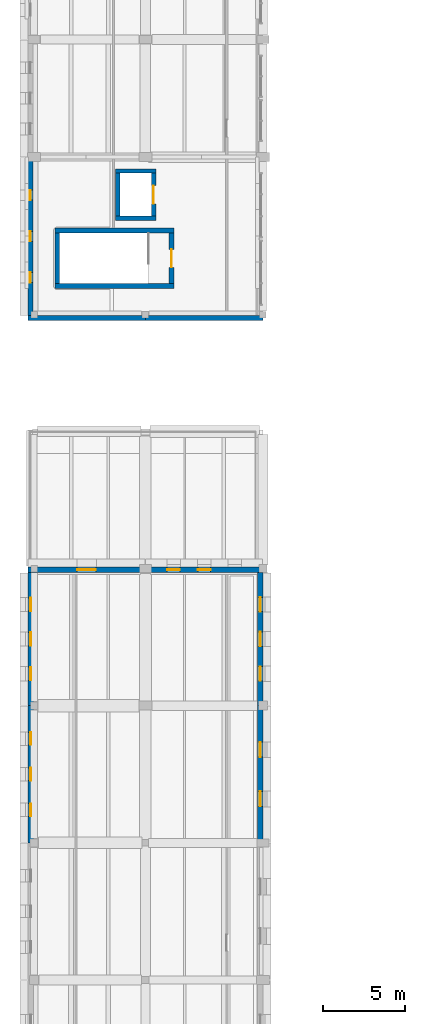
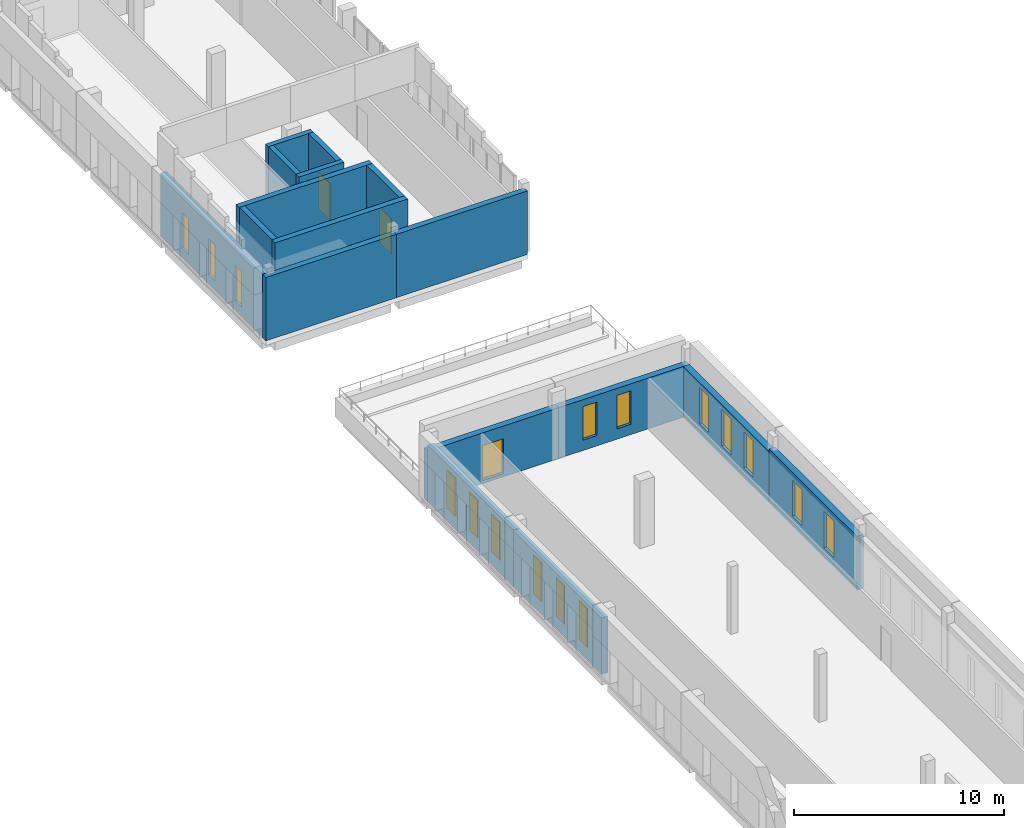
# One storey, part 22 of 34: 17 walls, 16 windows, 3 doors, 19 openings.
"""IFC4 building model written with IfcOpenShell, lengths in metres."""

from ifc_helpers import new_model, si_unit, direction, frame, frame_2d, origin, place, context, subcontext, project, spatial, rectangle, extrude, material, layer, layer_set, type_object, element, fill, save


model = new_model("IFC4")

# Units and contexts
model_context = context("Model", 3, precision=1e-05, world=origin(), true_north=direction((0.0, 1.0)))
body_context = subcontext(model_context, "Body", "Model", "MODEL_VIEW")
ifc_project = project(units=[si_unit("LENGTHUNIT", "METRE"), si_unit("AREAUNIT", "SQUARE_METRE"), si_unit("VOLUMEUNIT", "CUBIC_METRE"), si_unit("PLANEANGLEUNIT", "RADIAN"), si_unit("MASSUNIT", "GRAM", prefix="KILO")], contexts=[model_context])

# Site, building, storey
site_placement = place(None, origin())
site = spatial("IfcSite", under=ifc_project, at=site_placement, CompositionType="ELEMENT")
building_placement = place(site_placement, origin())
building = spatial("IfcBuilding", under=site, at=building_placement, Name="Vardoun Plaza Health Centre", CompositionType="ELEMENT")
storey_placement = place(building_placement, frame((0.0, 0.0, 12.89990234375)))
storey = spatial("IfcBuildingStorey", under=building, at=storey_placement, Name="L03", CompositionType="ELEMENT", Elevation=12.89990234375)

# Walls
ifc_material_1 = material(Name="Concrete C40/50", Category="concrete")
ifc_layer_1 = layer(ifc_material_1, 0.27001953125)
ifc_layer_set_1 = layer_set([ifc_layer_1], Name="Concrete C40/50")
wall_type_1 = type_object("IfcWallType", Name="SW-03", PredefinedType="SHEAR", material=ifc_layer_set_1)
wall_1_placement = place(storey_placement, frame((12.3349609375, 82.949951171875, 0.0), z_axis=(0.0, 0.0, 1.0), x_axis=(-1.0, 0.0, 0.0)))
element("IfcWall", 1, at=wall_1_placement, inside=storey, type_object=wall_type_1, Name="Lift LP-01 L03 Shaft Wall S", PredefinedType="SHEAR", context=body_context, shape_type="SweptSolid", body=[
    extrude(rectangle(XDim=2.469970703125, YDim=0.27001953125, at=frame_2d((1.23486328125, 0.0))), origin(), (0.0, 0.0, 1.0), 3.93505859375),
])
wall_2_placement = place(storey_placement, frame((10.0, 83.0849609375, 0.0), z_axis=(0.0, 0.0, 1.0), x_axis=(0.0, 1.0, 0.0)))
element("IfcWall", 2, at=wall_2_placement, inside=storey, type_object=wall_type_1, Name="Lift LP-01 L03 Shaft Wall W", PredefinedType="SHEAR", context=body_context, shape_type="SweptSolid", body=[
    extrude(rectangle(XDim=2.630126953125, YDim=0.27001953125, at=frame_2d((1.31494140625, 0.0))), origin(), (0.0, 0.0, 1.0), 3.93505859375),
])
wall_3_placement = place(storey_placement, frame((9.864990234375, 85.85009765625, 0.0), z_axis=(0.0, 0.0, 1.0), x_axis=(1.0, 0.0, 0.0)))
element("IfcWall", 3, at=wall_3_placement, inside=storey, type_object=wall_type_1, Name="Lift LP-01 L03 Shaft Wall N", PredefinedType="SHEAR", context=body_context, shape_type="SweptSolid", body=[
    extrude(rectangle(XDim=2.469970703125, YDim=0.27001953125, at=frame_2d((1.23486328125, 0.0))), origin(), (0.0, 0.0, 1.0), 3.93505859375),
])

# Wall, opening, door
wall_4_placement = place(storey_placement, frame((12.199951171875, 85.715087890625, 0.0), z_axis=(0.0, 0.0, 1.0), x_axis=(0.0, -1.0, 0.0)))
wall_4 = element("IfcWall", 4, at=wall_4_placement, inside=storey, type_object=wall_type_1, Name="Lift LP-01 L03 Shaft Wall E", PredefinedType="SHEAR", context=body_context, shape_type="SweptSolid", body=[
    extrude(rectangle(XDim=2.630126953125, YDim=0.27001953125, at=frame_2d((1.31494140625, 0.0))), origin(), (0.0, 0.0, 1.0), 3.93505859375),
])
opening_1_placement = place(wall_4_placement, frame((0.7548828125, 0.0, 0.0)))
opening_1 = element("IfcOpeningElement", 5, at=opening_1_placement, cuts=wall_4, Name="Opening LD-LP-01-L03", PredefinedType="OPENING", context=body_context, shape_type="SweptSolid", body=[
    extrude(rectangle(XDim=1.1201171875, YDim=2.10009765625, at=frame_2d((0.56005859375, 1.050048828125))), frame((0.0, 0.135009765625, 0.0), z_axis=(0.0, -1.0, 0.0), x_axis=(1.0, 0.0, 0.0)), (0.0, 0.0, 1.0), 0.27001953125),
])
ifc_material_2 = material(Name="Brushed Stainless Steel Grade 316L", Category="steel")
door_type_1 = type_object("IfcDoorType", Name="LD-01", OperationType="DOUBLE_DOOR_SLIDING", PredefinedType="DOOR", material=ifc_material_2)
door_1_placement = place(opening_1_placement, origin())
door_1 = element("IfcDoor", 6, at=door_1_placement, inside=storey, type_object=door_type_1, Name="Lift LP-01 L03 Sliding Landing Door", OperationType="DOUBLE_DOOR_SLIDING", OverallHeight=2.10009765625, OverallWidth=1.1201171875, PredefinedType="DOOR", context=body_context, shape_type="SweptSolid", body=[
    extrude(rectangle(XDim=1.1201171875, YDim=2.10009765625, at=frame_2d((0.56005859375, 1.050048828125))), frame((0.0, 0.02490234375, 0.0), z_axis=(0.0, -1.0, 0.0), x_axis=(1.0, 0.0, 0.0)), (0.0, 0.0, 1.0), 0.050048828125),
])
fill(opening_1, door_1)

# Walls
ifc_material_3 = material(Name="Concrete C40/50", Category="concrete")
ifc_layer_2 = layer(ifc_material_3, 0.300048828125)
ifc_layer_set_2 = layer_set([ifc_layer_2], Name="Concrete C40/50")
wall_type_2 = type_object("IfcWallType", Name="SW-01", PredefinedType="SHEAR", material=ifc_layer_set_2)
wall_5_placement = place(storey_placement, frame((13.449951171875, 78.800048828125, 0.0), z_axis=(0.0, 0.0, 1.0), x_axis=(-1.0, 0.0, 0.0)))
element("IfcWall", 7, at=wall_5_placement, inside=storey, type_object=wall_type_2, Name="Core C3 L03 Shear Wall S", PredefinedType="SHEAR", context=body_context, shape_type="SweptSolid", body=[
    extrude(rectangle(XDim=7.300048828125, YDim=0.300048828125, at=frame_2d((3.64990234375, 0.0))), origin(), (0.0, 0.0, 1.0), 3.93505859375),
])
wall_6_placement = place(storey_placement, frame((6.300048828125, 78.949951171875, 0.0), z_axis=(0.0, 0.0, 1.0), x_axis=(0.0, 1.0, 0.0)))
element("IfcWall", 8, at=wall_6_placement, inside=storey, type_object=wall_type_2, Name="Core C3 L03 Shear Wall W", PredefinedType="SHEAR", context=body_context, shape_type="SweptSolid", body=[
    extrude(rectangle(XDim=3.10009765625, YDim=0.300048828125, at=frame_2d((1.550048828125, 0.0))), origin(), (0.0, 0.0, 1.0), 3.93505859375),
])
wall_7_placement = place(storey_placement, frame((6.14990234375, 82.199951171875, 0.0), z_axis=(0.0, 0.0, 1.0), x_axis=(1.0, 0.0, 0.0)))
element("IfcWall", 9, at=wall_7_placement, inside=storey, type_object=wall_type_2, Name="Core C3 L03 Shear Wall N", PredefinedType="SHEAR", context=body_context, shape_type="SweptSolid", body=[
    extrude(rectangle(XDim=7.300048828125, YDim=0.300048828125, at=frame_2d((3.64990234375, 0.0))), origin(), (0.0, 0.0, 1.0), 3.93505859375),
])

# Wall, opening, door
wall_8_placement = place(storey_placement, frame((13.300048828125, 82.050048828125, 0.0), z_axis=(0.0, 0.0, 1.0), x_axis=(0.0, -1.0, 0.0)))
wall_8 = element("IfcWall", 10, at=wall_8_placement, inside=storey, type_object=wall_type_2, Name="Core C3 L03 Shear Wall E", PredefinedType="SHEAR", context=body_context, shape_type="SweptSolid", body=[
    extrude(rectangle(XDim=3.10009765625, YDim=0.300048828125, at=frame_2d((1.550048828125, 0.0))), origin(), (0.0, 0.0, 1.0), 3.93505859375),
])
opening_2_placement = place(wall_8_placement, frame((1.0, 0.0, 0.0)))
opening_2 = element("IfcOpeningElement", 11, at=opening_2_placement, cuts=wall_8, Name="Opening SD-C3-L03", PredefinedType="OPENING", context=body_context, shape_type="SweptSolid", body=[
    extrude(rectangle(XDim=1.10009765625, YDim=2.050048828125, at=frame_2d((0.550048828125, 1.02490234375))), frame((0.0, 0.14990234375, 0.0), z_axis=(0.0, -1.0, 0.0), x_axis=(1.0, 0.0, 0.0)), (0.0, 0.0, 1.0), 0.300048828125),
])
ifc_material_4 = material(Name="Brushed Stainless Steel Grade 316L", Category="steel")
door_type_2 = type_object("IfcDoorType", Name="FD-01", OperationType="NOTDEFINED", PredefinedType="DOOR", material=ifc_material_4)
door_2_placement = place(opening_2_placement, origin())
door_2 = element("IfcDoor", 12, at=door_2_placement, inside=storey, type_object=door_type_2, Name="Stair C3 L03 Fire Door", OperationType="SINGLE_SWING_RIGHT", OverallHeight=2.050048828125, OverallWidth=1.10009765625, PredefinedType="DOOR", context=body_context, shape_type="SweptSolid", body=[
    extrude(rectangle(XDim=1.10009765625, YDim=2.050048828125, at=frame_2d((0.550048828125, 1.02490234375))), frame((0.0, 0.02490234375, 0.0), z_axis=(0.0, -1.0, 0.0), x_axis=(1.0, 0.0, 0.0)), (0.0, 0.0, 1.0), 0.050048828125),
])
fill(opening_2, door_2)

# Walls
ifc_material_5 = material(Name="Pale Limestone Concrete C35/45", Category="masonry")
ifc_layer_3 = layer(ifc_material_5, 0.31494140625)
ifc_layer_set_3 = layer_set([ifc_layer_3], Name="Pale Limestone Concrete C35/45")
wall_type_3 = type_object("IfcWallType", Name="EW-03", PredefinedType="SOLIDWALL", material=ifc_layer_set_3)
for number, where, z_axis, x_axis, name in (
    (13, (18.89990234375, 76.83740234375, 0.0), (0.0, 0.0, 1.0), (-1.0, 0.0, 0.0), "V3 L03 Exterior Wall EW-V3-297"),
    (14, (11.699951171875, 76.83740234375, 0.0), (0.0, 0.0, 1.0), (-1.0, 0.0, 0.0), "V3 L03 Exterior Wall EW-V3-298"),
):
    element("IfcWall", number, at=place(storey_placement, frame(where, z_axis=z_axis, x_axis=x_axis)), inside=storey, type_object=wall_type_3, Name=name, PredefinedType="SOLIDWALL", context=body_context, shape_type="SweptSolid", body=[
        extrude(rectangle(XDim=7.199951171875, YDim=0.31494140625, at=frame_2d((3.60009765625, 0.0))), origin(), (0.0, 0.0, 1.0), 3.686279296875),
    ])

# Wall, openings, windows
wall_9_placement = place(storey_placement, frame((4.657470703125, 76.9951171875, 0.0), z_axis=(0.0, 0.0, 1.0), x_axis=(0.0, 1.0, 0.0)))
wall_9 = element("IfcWall", 15, at=wall_9_placement, inside=storey, type_object=wall_type_3, Name="V3 L03 Exterior Wall EW-V3-299", PredefinedType="SOLIDWALL", context=body_context, shape_type="SweptSolid", body=[
    extrude(rectangle(XDim=9.704833984375, YDim=0.31494140625, at=frame_2d((4.8525390625, 0.0))), origin(), (0.0, 0.0, 1.0), 3.686279296875),
])
opening_3_placement = place(wall_9_placement, frame((2.019287109375, 0.0, 0.550048828125)))
opening_3 = element("IfcOpeningElement", 16, at=opening_3_placement, cuts=wall_9, Name="Opening W-21-008", PredefinedType="OPENING", context=body_context, shape_type="SweptSolid", body=[
    extrude(rectangle(XDim=0.6201171875, YDim=2.080078125, at=frame_2d((0.31005859375, 1.0400390625))), frame((0.0, 0.157470703125, 0.0), z_axis=(0.0, -1.0, 0.0), x_axis=(1.0, 0.0, 0.0)), (0.0, 0.0, 1.0), 0.31494140625),
])
opening_4_placement = place(wall_9_placement, frame((4.54248046875, 0.0, 0.550048828125)))
opening_4 = element("IfcOpeningElement", 17, at=opening_4_placement, cuts=wall_9, Name="Opening W-21-009", PredefinedType="OPENING", context=body_context, shape_type="SweptSolid", body=[
    extrude(rectangle(XDim=0.6201171875, YDim=2.080078125, at=frame_2d((0.31005859375, 1.0400390625))), frame((0.0, 0.157470703125, 0.0), z_axis=(0.0, -1.0, 0.0), x_axis=(1.0, 0.0, 0.0)), (0.0, 0.0, 1.0), 0.31494140625),
])
opening_5_placement = place(wall_9_placement, frame((7.06591796875, 0.0, 0.550048828125)))
opening_5 = element("IfcOpeningElement", 18, at=opening_5_placement, cuts=wall_9, Name="Opening W-21-010", PredefinedType="OPENING", context=body_context, shape_type="SweptSolid", body=[
    extrude(rectangle(XDim=0.6201171875, YDim=2.080078125, at=frame_2d((0.31005859375, 1.0400390625))), frame((0.0, 0.157470703125, 0.0), z_axis=(0.0, -1.0, 0.0), x_axis=(1.0, 0.0, 0.0)), (0.0, 0.0, 1.0), 0.31494140625),
])
ifc_material_6 = material(Name="Aluminium Alloy EN AW-6063-T6 and Low-E Glass", Category="aluminium")
window_type_1 = type_object("IfcWindowType", Name="W-21", PartitioningType="SINGLE_PANEL", PredefinedType="WINDOW", material=ifc_material_6)
window_1_placement = place(opening_3_placement, origin())
window_1 = element("IfcWindow", 19, at=window_1_placement, inside=storey, type_object=window_type_1, Name="V3 L03 Deep-Punched Slot Window W-21-487", OverallHeight=2.080078125, OverallWidth=0.6201171875, PartitioningType="SINGLE_PANEL", PredefinedType="WINDOW", context=body_context, shape_type="SweptSolid", body=[
    extrude(rectangle(XDim=0.6201171875, YDim=2.080078125, at=frame_2d((0.31005859375, 1.0400390625))), frame((0.0, 0.030029296875, 0.0), z_axis=(0.0, -1.0, 0.0), x_axis=(1.0, 0.0, 0.0)), (0.0, 0.0, 1.0), 0.06005859375),
])
fill(opening_3, window_1)
window_2_placement = place(opening_4_placement, origin())
window_2 = element("IfcWindow", 20, at=window_2_placement, inside=storey, type_object=window_type_1, Name="V3 L03 Deep-Punched Slot Window W-21-488", OverallHeight=2.080078125, OverallWidth=0.6201171875, PartitioningType="SINGLE_PANEL", PredefinedType="WINDOW", context=body_context, shape_type="SweptSolid", body=[
    extrude(rectangle(XDim=0.6201171875, YDim=2.080078125, at=frame_2d((0.31005859375, 1.0400390625))), frame((0.0, 0.030029296875, 0.0), z_axis=(0.0, -1.0, 0.0), x_axis=(1.0, 0.0, 0.0)), (0.0, 0.0, 1.0), 0.06005859375),
])
fill(opening_4, window_2)
window_3_placement = place(opening_5_placement, origin())
window_3 = element("IfcWindow", 21, at=window_3_placement, inside=storey, type_object=window_type_1, Name="V3 L03 Deep-Punched Slot Window W-21-489", OverallHeight=2.080078125, OverallWidth=0.6201171875, PartitioningType="SINGLE_PANEL", PredefinedType="WINDOW", context=body_context, shape_type="SweptSolid", body=[
    extrude(rectangle(XDim=0.6201171875, YDim=2.080078125, at=frame_2d((0.31005859375, 1.0400390625))), frame((0.0, 0.030029296875, 0.0), z_axis=(0.0, -1.0, 0.0), x_axis=(1.0, 0.0, 0.0)), (0.0, 0.0, 1.0), 0.06005859375),
])
fill(opening_5, window_3)

# Wall, opening, door
ifc_material_7 = material(Name="Pale Limestone Concrete C35/45", Category="masonry")
ifc_layer_4 = layer(ifc_material_7, 0.344970703125)
ifc_layer_set_4 = layer_set([ifc_layer_4], Name="Pale Limestone Concrete C35/45")
wall_type_4 = type_object("IfcWallType", Name="EW-01", PredefinedType="SOLIDWALL", material=ifc_layer_set_4)
wall_10_placement = place(storey_placement, frame((4.5, 61.427490234375, 0.0), z_axis=(0.0, 0.0, 1.0), x_axis=(1.0, 0.0, 0.0)))
wall_10 = element("IfcWall", 22, at=wall_10_placement, inside=storey, type_object=wall_type_4, Name="V2 L03 Exterior Wall EW-V2-154", PredefinedType="SOLIDWALL", context=body_context, shape_type="SweptSolid", body=[
    extrude(rectangle(XDim=7.199951171875, YDim=0.344970703125, at=frame_2d((3.60009765625, 0.0))), origin(), (0.0, 0.0, 1.0), 2.955078125),
])
opening_6_placement = place(wall_10_placement, frame((3.02490234375, 0.0, 0.18994140625)))
opening_6 = element("IfcOpeningElement", 23, at=opening_6_placement, cuts=wall_10, Name="Opening TD-V2-L03-1", PredefinedType="OPENING", context=body_context, shape_type="SweptSolid", body=[
    extrude(rectangle(XDim=1.14990234375, YDim=2.02001953125, at=frame_2d((0.574951171875, 1.010009765625))), frame((0.0, 0.17236328125, 0.0), z_axis=(0.0, -1.0, 0.0), x_axis=(1.0, 0.0, 0.0)), (0.0, 0.0, 1.0), 0.344970703125),
])
ifc_material_8 = material(Name="Aluminium Alloy EN AW-6063-T6 Terrace Door", Category="aluminium")
door_type_3 = type_object("IfcDoorType", Name="ED-04", OperationType="NOTDEFINED", PredefinedType="DOOR", material=ifc_material_8)
door_3_placement = place(opening_6_placement, origin())
door_3 = element("IfcDoor", 24, at=door_3_placement, inside=storey, type_object=door_type_3, Name="V2 L03 Roof-Garden Terrace Door 1", OperationType="SINGLE_SWING_RIGHT", OverallHeight=2.02001953125, OverallWidth=1.14990234375, PredefinedType="DOOR", context=body_context, shape_type="SweptSolid", body=[
    extrude(rectangle(XDim=1.14990234375, YDim=2.02001953125, at=frame_2d((0.574951171875, 1.010009765625))), frame((0.0, 0.02490234375, 0.0), z_axis=(0.0, -1.0, 0.0), x_axis=(1.0, 0.0, 0.0)), (0.0, 0.0, 1.0), 0.050048828125),
])
fill(opening_6, door_3)

# Wall, openings, windows
wall_11_placement = place(storey_placement, frame((11.699951171875, 61.427490234375, 0.0), z_axis=(0.0, 0.0, 1.0), x_axis=(1.0, 0.0, 0.0)))
wall_11 = element("IfcWall", 25, at=wall_11_placement, inside=storey, type_object=wall_type_4, Name="V2 L03 Exterior Wall EW-V2-155", PredefinedType="SOLIDWALL", context=body_context, shape_type="SweptSolid", body=[
    extrude(rectangle(XDim=7.199951171875, YDim=0.344970703125, at=frame_2d((3.60009765625, 0.0))), origin(), (0.0, 0.0, 1.0), 2.955078125),
])
opening_7_placement = place(wall_11_placement, frame((1.337890625, 0.0, 0.60009765625)))
opening_7 = element("IfcOpeningElement", 26, at=opening_7_placement, cuts=wall_11, Name="Opening W-30-010", PredefinedType="OPENING", context=body_context, shape_type="SweptSolid", body=[
    extrude(rectangle(XDim=0.780029296875, YDim=1.949951171875, at=frame_2d((0.39013671875, 0.97509765625))), frame((0.0, 0.17236328125, 0.0), z_axis=(0.0, -1.0, 0.0), x_axis=(1.0, 0.0, 0.0)), (0.0, 0.0, 1.0), 0.344970703125),
])
opening_8_placement = place(wall_11_placement, frame((3.2099609375, 0.0, 0.60009765625)))
opening_8 = element("IfcOpeningElement", 27, at=opening_8_placement, cuts=wall_11, Name="Opening W-30-011", PredefinedType="OPENING", context=body_context, shape_type="SweptSolid", body=[
    extrude(rectangle(XDim=0.780029296875, YDim=1.949951171875, at=frame_2d((0.39013671875, 0.97509765625))), frame((0.0, 0.17236328125, 0.0), z_axis=(0.0, -1.0, 0.0), x_axis=(1.0, 0.0, 0.0)), (0.0, 0.0, 1.0), 0.344970703125),
])
ifc_material_9 = material(Name="Aluminium Alloy EN AW-6063-T6 and Low-E Glass", Category="aluminium")
window_type_2 = type_object("IfcWindowType", Name="W-30", PartitioningType="SINGLE_PANEL", PredefinedType="WINDOW", material=ifc_material_9)
window_4_placement = place(opening_7_placement, origin())
window_4 = element("IfcWindow", 28, at=window_4_placement, inside=storey, type_object=window_type_2, Name="V2 L03 Deep-Punched Slot Window W-30-178", OverallHeight=1.949951171875, OverallWidth=0.780029296875, PartitioningType="SINGLE_PANEL", PredefinedType="WINDOW", context=body_context, shape_type="SweptSolid", body=[
    extrude(rectangle(XDim=0.780029296875, YDim=1.949951171875, at=frame_2d((0.39013671875, 0.97509765625))), frame((0.0, 0.030029296875, 0.0), z_axis=(0.0, -1.0, 0.0), x_axis=(1.0, 0.0, 0.0)), (0.0, 0.0, 1.0), 0.06005859375),
])
fill(opening_7, window_4)
window_5_placement = place(opening_8_placement, origin())
window_5 = element("IfcWindow", 29, at=window_5_placement, inside=storey, type_object=window_type_2, Name="V2 L03 Deep-Punched Slot Window W-30-179", OverallHeight=1.949951171875, OverallWidth=0.780029296875, PartitioningType="SINGLE_PANEL", PredefinedType="WINDOW", context=body_context, shape_type="SweptSolid", body=[
    extrude(rectangle(XDim=0.780029296875, YDim=1.949951171875, at=frame_2d((0.39013671875, 0.97509765625))), frame((0.0, 0.030029296875, 0.0), z_axis=(0.0, -1.0, 0.0), x_axis=(1.0, 0.0, 0.0)), (0.0, 0.0, 1.0), 0.06005859375),
])
fill(opening_8, window_5)

wall_12_placement = place(storey_placement, frame((18.7275390625, 61.2548828125, 0.0), z_axis=(0.0, 0.0, 1.0), x_axis=(0.0, -1.0, 0.0)))
wall_12 = element("IfcWall", 30, at=wall_12_placement, inside=storey, type_object=wall_type_4, Name="V2 L03 Exterior Wall EW-V2-156", PredefinedType="SOLIDWALL", context=body_context, shape_type="SweptSolid", body=[
    extrude(rectangle(XDim=8.15478515625, YDim=0.344970703125, at=frame_2d((4.077392578125, 0.0))), origin(), (0.0, 0.0, 1.0), 2.955078125),
])
opening_9_placement = place(wall_12_placement, frame((1.51708984375, 0.0, 0.550048828125)))
opening_9 = element("IfcOpeningElement", 31, at=opening_9_placement, cuts=wall_12, Name="Opening W-18-004", PredefinedType="OPENING", context=body_context, shape_type="SweptSolid", body=[
    extrude(rectangle(XDim=0.8798828125, YDim=2.1201171875, at=frame_2d((0.43994140625, 1.06005859375))), frame((0.0, 0.17236328125, 0.0), z_axis=(0.0, -1.0, 0.0), x_axis=(1.0, 0.0, 0.0)), (0.0, 0.0, 1.0), 0.344970703125),
])
opening_10_placement = place(wall_12_placement, frame((3.637451171875, 0.0, 0.550048828125)))
opening_10 = element("IfcOpeningElement", 32, at=opening_10_placement, cuts=wall_12, Name="Opening W-18-005", PredefinedType="OPENING", context=body_context, shape_type="SweptSolid", body=[
    extrude(rectangle(XDim=0.8798828125, YDim=2.1201171875, at=frame_2d((0.43994140625, 1.06005859375))), frame((0.0, 0.17236328125, 0.0), z_axis=(0.0, -1.0, 0.0), x_axis=(1.0, 0.0, 0.0)), (0.0, 0.0, 1.0), 0.344970703125),
])
opening_11_placement = place(wall_12_placement, frame((5.7578125, 0.0, 0.550048828125)))
opening_11 = element("IfcOpeningElement", 33, at=opening_11_placement, cuts=wall_12, Name="Opening W-18-006", PredefinedType="OPENING", context=body_context, shape_type="SweptSolid", body=[
    extrude(rectangle(XDim=0.8798828125, YDim=2.1201171875, at=frame_2d((0.43994140625, 1.06005859375))), frame((0.0, 0.17236328125, 0.0), z_axis=(0.0, -1.0, 0.0), x_axis=(1.0, 0.0, 0.0)), (0.0, 0.0, 1.0), 0.344970703125),
])
ifc_material_10 = material(Name="Aluminium Alloy EN AW-6063-T6 and Low-E Glass", Category="aluminium")
window_type_3 = type_object("IfcWindowType", Name="W-18", PartitioningType="SINGLE_PANEL", PredefinedType="WINDOW", material=ifc_material_10)
window_6_placement = place(opening_9_placement, origin())
window_6 = element("IfcWindow", 34, at=window_6_placement, inside=storey, type_object=window_type_3, Name="V2 L03 Deep-Punched Slot Window W-18-181", OverallHeight=2.1201171875, OverallWidth=0.8798828125, PartitioningType="SINGLE_PANEL", PredefinedType="WINDOW", context=body_context, shape_type="SweptSolid", body=[
    extrude(rectangle(XDim=0.8798828125, YDim=2.1201171875, at=frame_2d((0.43994140625, 1.06005859375))), frame((0.0, 0.030029296875, 0.0), z_axis=(0.0, -1.0, 0.0), x_axis=(1.0, 0.0, 0.0)), (0.0, 0.0, 1.0), 0.06005859375),
])
fill(opening_9, window_6)
window_7_placement = place(opening_10_placement, origin())
window_7 = element("IfcWindow", 35, at=window_7_placement, inside=storey, type_object=window_type_3, Name="V2 L03 Deep-Punched Slot Window W-18-182", OverallHeight=2.1201171875, OverallWidth=0.8798828125, PartitioningType="SINGLE_PANEL", PredefinedType="WINDOW", context=body_context, shape_type="SweptSolid", body=[
    extrude(rectangle(XDim=0.8798828125, YDim=2.1201171875, at=frame_2d((0.43994140625, 1.06005859375))), frame((0.0, 0.030029296875, 0.0), z_axis=(0.0, -1.0, 0.0), x_axis=(1.0, 0.0, 0.0)), (0.0, 0.0, 1.0), 0.06005859375),
])
fill(opening_10, window_7)
window_8_placement = place(opening_11_placement, origin())
window_8 = element("IfcWindow", 36, at=window_8_placement, inside=storey, type_object=window_type_3, Name="V2 L03 Deep-Punched Slot Window W-18-183", OverallHeight=2.1201171875, OverallWidth=0.8798828125, PartitioningType="SINGLE_PANEL", PredefinedType="WINDOW", context=body_context, shape_type="SweptSolid", body=[
    extrude(rectangle(XDim=0.8798828125, YDim=2.1201171875, at=frame_2d((0.43994140625, 1.06005859375))), frame((0.0, 0.030029296875, 0.0), z_axis=(0.0, -1.0, 0.0), x_axis=(1.0, 0.0, 0.0)), (0.0, 0.0, 1.0), 0.06005859375),
])
fill(opening_11, window_8)

wall_13_placement = place(storey_placement, frame((18.7275390625, 53.10009765625, 0.0), z_axis=(0.0, 0.0, 1.0), x_axis=(0.0, -1.0, 0.0)))
wall_13 = element("IfcWall", 37, at=wall_13_placement, inside=storey, type_object=wall_type_4, Name="V2 L03 Exterior Wall EW-V2-157", PredefinedType="SOLIDWALL", context=body_context, shape_type="SweptSolid", body=[
    extrude(rectangle(XDim=8.400146484375, YDim=0.344970703125, at=frame_2d((4.2001953125, 0.0))), origin(), (0.0, 0.0, 1.0), 3.10498046875),
])
opening_12_placement = place(wall_13_placement, frame((2.22802734375, 0.0, 0.550048828125)))
opening_12 = element("IfcOpeningElement", 38, at=opening_12_placement, cuts=wall_13, Name="Opening W-19-004", PredefinedType="OPENING", context=body_context, shape_type="SweptSolid", body=[
    extrude(rectangle(XDim=0.919921875, YDim=2.10009765625, at=frame_2d((0.4599609375, 1.050048828125))), frame((0.0, 0.17236328125, 0.0), z_axis=(0.0, -1.0, 0.0), x_axis=(1.0, 0.0, 0.0)), (0.0, 0.0, 1.0), 0.344970703125),
])
opening_13_placement = place(wall_13_placement, frame((5.251953125, 0.0, 0.550048828125)))
opening_13 = element("IfcOpeningElement", 39, at=opening_13_placement, cuts=wall_13, Name="Opening W-19-005", PredefinedType="OPENING", context=body_context, shape_type="SweptSolid", body=[
    extrude(rectangle(XDim=0.919921875, YDim=2.10009765625, at=frame_2d((0.4599609375, 1.050048828125))), frame((0.0, 0.17236328125, 0.0), z_axis=(0.0, -1.0, 0.0), x_axis=(1.0, 0.0, 0.0)), (0.0, 0.0, 1.0), 0.344970703125),
])
ifc_material_11 = material(Name="Aluminium Alloy EN AW-6063-T6 and Low-E Glass", Category="aluminium")
window_type_4 = type_object("IfcWindowType", Name="W-19", PartitioningType="DOUBLE_PANEL_VERTICAL", PredefinedType="WINDOW", material=ifc_material_11)
window_9_placement = place(opening_12_placement, origin())
window_9 = element("IfcWindow", 40, at=window_9_placement, inside=storey, type_object=window_type_4, Name="V2 L03 Deep-Punched Slot Window W-19-184", OverallHeight=2.10009765625, OverallWidth=0.919921875, PartitioningType="DOUBLE_PANEL_VERTICAL", PredefinedType="WINDOW", context=body_context, shape_type="SweptSolid", body=[
    extrude(rectangle(XDim=0.919921875, YDim=2.10009765625, at=frame_2d((0.4599609375, 1.050048828125))), frame((0.0, 0.030029296875, 0.0), z_axis=(0.0, -1.0, 0.0), x_axis=(1.0, 0.0, 0.0)), (0.0, 0.0, 1.0), 0.06005859375),
])
fill(opening_12, window_9)
window_10_placement = place(opening_13_placement, origin())
window_10 = element("IfcWindow", 41, at=window_10_placement, inside=storey, type_object=window_type_4, Name="V2 L03 Deep-Punched Slot Window W-19-185", OverallHeight=2.10009765625, OverallWidth=0.919921875, PartitioningType="DOUBLE_PANEL_VERTICAL", PredefinedType="WINDOW", context=body_context, shape_type="SweptSolid", body=[
    extrude(rectangle(XDim=0.919921875, YDim=2.10009765625, at=frame_2d((0.4599609375, 1.050048828125))), frame((0.0, 0.030029296875, 0.0), z_axis=(0.0, -1.0, 0.0), x_axis=(1.0, 0.0, 0.0)), (0.0, 0.0, 1.0), 0.06005859375),
])
fill(opening_13, window_10)

wall_14_placement = place(storey_placement, frame((4.672607421875, 44.699951171875, 0.0), z_axis=(0.0, 0.0, 1.0), x_axis=(0.0, 1.0, 0.0)))
wall_14 = element("IfcWall", 42, at=wall_14_placement, inside=storey, type_object=wall_type_4, Name="V2 L03 Exterior Wall EW-V2-176", PredefinedType="SOLIDWALL", context=body_context, shape_type="SweptSolid", body=[
    extrude(rectangle(XDim=8.400146484375, YDim=0.344970703125, at=frame_2d((4.2001953125, 0.0))), origin(), (0.0, 0.0, 1.0), 3.28515625),
])
opening_14_placement = place(wall_14_placement, frame((1.6259765625, 0.0, 0.550048828125)))
opening_14 = element("IfcOpeningElement", 43, at=opening_14_placement, cuts=wall_14, Name="Opening W-06-004", PredefinedType="OPENING", context=body_context, shape_type="SweptSolid", body=[
    extrude(rectangle(XDim=0.780029296875, YDim=2.25, at=frame_2d((0.39013671875, 1.125))), frame((0.0, 0.17236328125, 0.0), z_axis=(0.0, -1.0, 0.0), x_axis=(1.0, 0.0, 0.0)), (0.0, 0.0, 1.0), 0.344970703125),
])
opening_15_placement = place(wall_14_placement, frame((3.81005859375, 0.0, 0.550048828125)))
opening_15 = element("IfcOpeningElement", 44, at=opening_15_placement, cuts=wall_14, Name="Opening W-06-005", PredefinedType="OPENING", context=body_context, shape_type="SweptSolid", body=[
    extrude(rectangle(XDim=0.780029296875, YDim=2.25, at=frame_2d((0.39013671875, 1.125))), frame((0.0, 0.17236328125, 0.0), z_axis=(0.0, -1.0, 0.0), x_axis=(1.0, 0.0, 0.0)), (0.0, 0.0, 1.0), 0.344970703125),
])
opening_16_placement = place(wall_14_placement, frame((5.993896484375, 0.0, 0.550048828125)))
opening_16 = element("IfcOpeningElement", 45, at=opening_16_placement, cuts=wall_14, Name="Opening W-06-006", PredefinedType="OPENING", context=body_context, shape_type="SweptSolid", body=[
    extrude(rectangle(XDim=0.780029296875, YDim=2.25, at=frame_2d((0.39013671875, 1.125))), frame((0.0, 0.17236328125, 0.0), z_axis=(0.0, -1.0, 0.0), x_axis=(1.0, 0.0, 0.0)), (0.0, 0.0, 1.0), 0.344970703125),
])
ifc_material_12 = material(Name="Aluminium Alloy EN AW-6063-T6 and Low-E Glass", Category="aluminium")
window_type_5 = type_object("IfcWindowType", Name="W-06", PartitioningType="SINGLE_PANEL", PredefinedType="WINDOW", material=ifc_material_12)
window_11_placement = place(opening_14_placement, origin())
window_11 = element("IfcWindow", 46, at=window_11_placement, inside=storey, type_object=window_type_5, Name="V2 L03 Deep-Punched Slot Window W-06-236", OverallHeight=2.25, OverallWidth=0.780029296875, PartitioningType="SINGLE_PANEL", PredefinedType="WINDOW", context=body_context, shape_type="SweptSolid", body=[
    extrude(rectangle(XDim=0.780029296875, YDim=2.25, at=frame_2d((0.39013671875, 1.125))), frame((0.0, 0.030029296875, 0.0), z_axis=(0.0, -1.0, 0.0), x_axis=(1.0, 0.0, 0.0)), (0.0, 0.0, 1.0), 0.06005859375),
])
fill(opening_14, window_11)
window_12_placement = place(opening_15_placement, origin())
window_12 = element("IfcWindow", 47, at=window_12_placement, inside=storey, type_object=window_type_5, Name="V2 L03 Deep-Punched Slot Window W-06-237", OverallHeight=2.25, OverallWidth=0.780029296875, PartitioningType="SINGLE_PANEL", PredefinedType="WINDOW", context=body_context, shape_type="SweptSolid", body=[
    extrude(rectangle(XDim=0.780029296875, YDim=2.25, at=frame_2d((0.39013671875, 1.125))), frame((0.0, 0.030029296875, 0.0), z_axis=(0.0, -1.0, 0.0), x_axis=(1.0, 0.0, 0.0)), (0.0, 0.0, 1.0), 0.06005859375),
])
fill(opening_15, window_12)
window_13_placement = place(opening_16_placement, origin())
window_13 = element("IfcWindow", 48, at=window_13_placement, inside=storey, type_object=window_type_5, Name="V2 L03 Deep-Punched Slot Window W-06-238", OverallHeight=2.25, OverallWidth=0.780029296875, PartitioningType="SINGLE_PANEL", PredefinedType="WINDOW", context=body_context, shape_type="SweptSolid", body=[
    extrude(rectangle(XDim=0.780029296875, YDim=2.25, at=frame_2d((0.39013671875, 1.125))), frame((0.0, 0.030029296875, 0.0), z_axis=(0.0, -1.0, 0.0), x_axis=(1.0, 0.0, 0.0)), (0.0, 0.0, 1.0), 0.06005859375),
])
fill(opening_16, window_13)

wall_15_placement = place(storey_placement, frame((4.672607421875, 53.10009765625, 0.0), z_axis=(0.0, 0.0, 1.0), x_axis=(0.0, 1.0, 0.0)))
wall_15 = element("IfcWall", 49, at=wall_15_placement, inside=storey, type_object=wall_type_4, Name="V2 L03 Exterior Wall EW-V2-177", PredefinedType="SOLIDWALL", context=body_context, shape_type="SweptSolid", body=[
    extrude(rectangle(XDim=8.15478515625, YDim=0.344970703125, at=frame_2d((4.077392578125, 0.0))), origin(), (0.0, 0.0, 1.0), 3.30517578125),
])
opening_17_placement = place(wall_15_placement, frame((1.547119140625, 0.0, 0.550048828125)))
opening_17 = element("IfcOpeningElement", 50, at=opening_17_placement, cuts=wall_15, Name="Opening W-07-004", PredefinedType="OPENING", context=body_context, shape_type="SweptSolid", body=[
    extrude(rectangle(XDim=0.820068359375, YDim=2.199951171875, at=frame_2d((0.41015625, 1.10009765625))), frame((0.0, 0.17236328125, 0.0), z_axis=(0.0, -1.0, 0.0), x_axis=(1.0, 0.0, 0.0)), (0.0, 0.0, 1.0), 0.344970703125),
])
opening_18_placement = place(wall_15_placement, frame((3.66748046875, 0.0, 0.550048828125)))
opening_18 = element("IfcOpeningElement", 51, at=opening_18_placement, cuts=wall_15, Name="Opening W-07-005", PredefinedType="OPENING", context=body_context, shape_type="SweptSolid", body=[
    extrude(rectangle(XDim=0.820068359375, YDim=2.199951171875, at=frame_2d((0.41015625, 1.10009765625))), frame((0.0, 0.17236328125, 0.0), z_axis=(0.0, -1.0, 0.0), x_axis=(1.0, 0.0, 0.0)), (0.0, 0.0, 1.0), 0.344970703125),
])
opening_19_placement = place(wall_15_placement, frame((5.787841796875, 0.0, 0.550048828125)))
opening_19 = element("IfcOpeningElement", 52, at=opening_19_placement, cuts=wall_15, Name="Opening W-07-006", PredefinedType="OPENING", context=body_context, shape_type="SweptSolid", body=[
    extrude(rectangle(XDim=0.820068359375, YDim=2.199951171875, at=frame_2d((0.41015625, 1.10009765625))), frame((0.0, 0.17236328125, 0.0), z_axis=(0.0, -1.0, 0.0), x_axis=(1.0, 0.0, 0.0)), (0.0, 0.0, 1.0), 0.344970703125),
])
ifc_material_13 = material(Name="Aluminium Alloy EN AW-6063-T6 and Low-E Glass", Category="aluminium")
window_type_6 = type_object("IfcWindowType", Name="W-07", PartitioningType="SINGLE_PANEL", PredefinedType="WINDOW", material=ifc_material_13)
window_14_placement = place(opening_17_placement, origin())
window_14 = element("IfcWindow", 53, at=window_14_placement, inside=storey, type_object=window_type_6, Name="V2 L03 Deep-Punched Slot Window W-07-239", OverallHeight=2.199951171875, OverallWidth=0.820068359375, PartitioningType="SINGLE_PANEL", PredefinedType="WINDOW", context=body_context, shape_type="SweptSolid", body=[
    extrude(rectangle(XDim=0.820068359375, YDim=2.199951171875, at=frame_2d((0.41015625, 1.10009765625))), frame((0.0, 0.030029296875, 0.0), z_axis=(0.0, -1.0, 0.0), x_axis=(1.0, 0.0, 0.0)), (0.0, 0.0, 1.0), 0.06005859375),
])
fill(opening_17, window_14)
window_15_placement = place(opening_18_placement, origin())
window_15 = element("IfcWindow", 54, at=window_15_placement, inside=storey, type_object=window_type_6, Name="V2 L03 Deep-Punched Slot Window W-07-240", OverallHeight=2.199951171875, OverallWidth=0.820068359375, PartitioningType="SINGLE_PANEL", PredefinedType="WINDOW", context=body_context, shape_type="SweptSolid", body=[
    extrude(rectangle(XDim=0.820068359375, YDim=2.199951171875, at=frame_2d((0.41015625, 1.10009765625))), frame((0.0, 0.030029296875, 0.0), z_axis=(0.0, -1.0, 0.0), x_axis=(1.0, 0.0, 0.0)), (0.0, 0.0, 1.0), 0.06005859375),
])
fill(opening_18, window_15)
window_16_placement = place(opening_19_placement, origin())
window_16 = element("IfcWindow", 55, at=window_16_placement, inside=storey, type_object=window_type_6, Name="V2 L03 Deep-Punched Slot Window W-07-241", OverallHeight=2.199951171875, OverallWidth=0.820068359375, PartitioningType="SINGLE_PANEL", PredefinedType="WINDOW", context=body_context, shape_type="SweptSolid", body=[
    extrude(rectangle(XDim=0.820068359375, YDim=2.199951171875, at=frame_2d((0.41015625, 1.10009765625))), frame((0.0, 0.030029296875, 0.0), z_axis=(0.0, -1.0, 0.0), x_axis=(1.0, 0.0, 0.0)), (0.0, 0.0, 1.0), 0.06005859375),
])
fill(opening_19, window_16)

save(model, "model.ifc")
